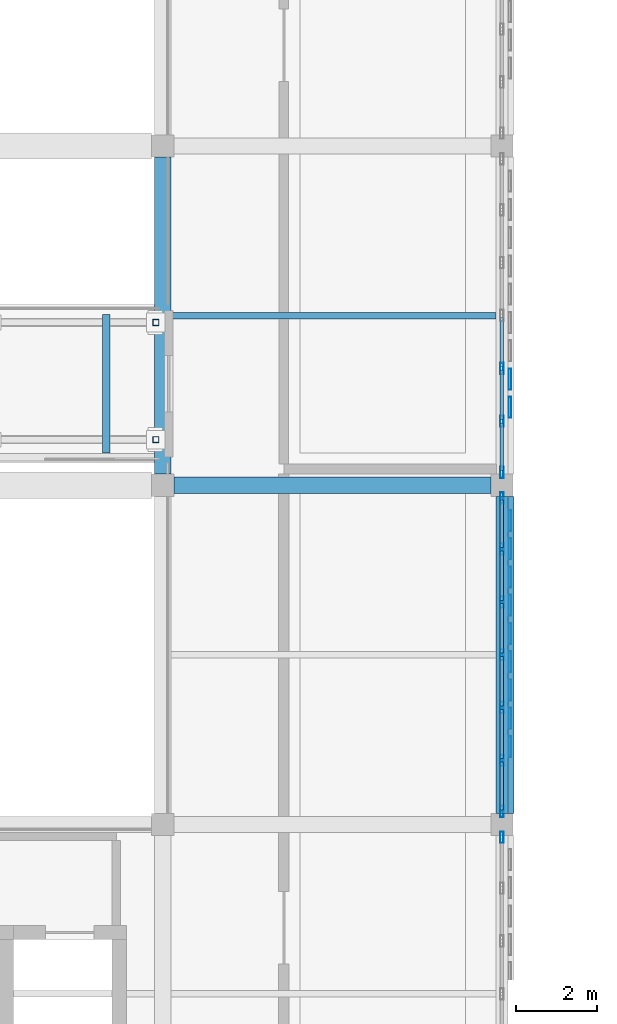
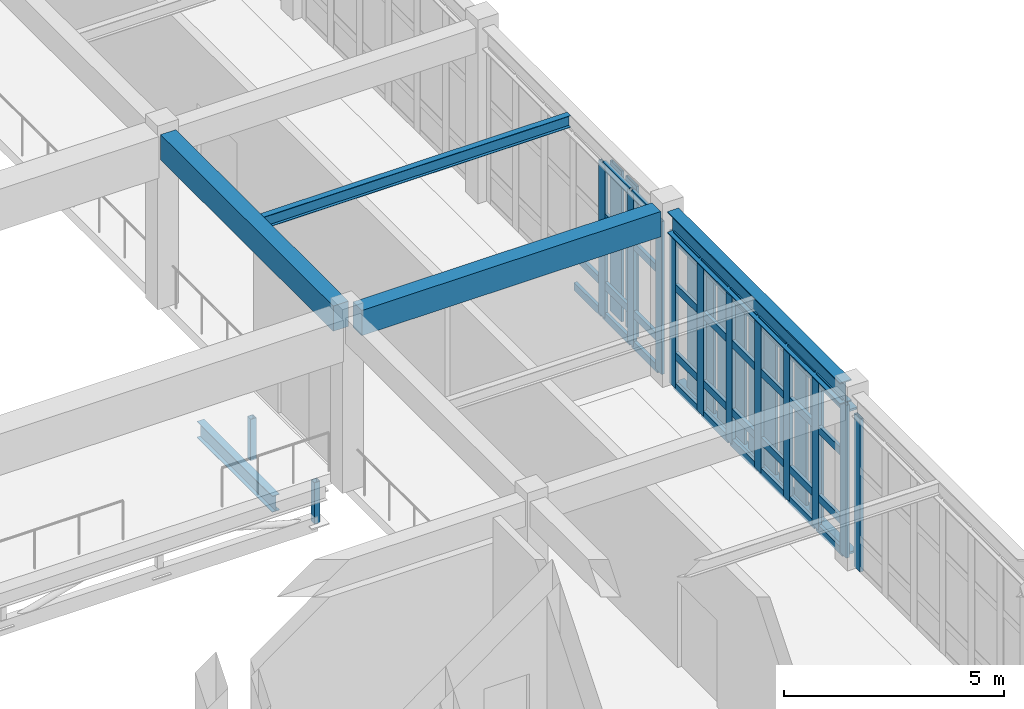
# One storey, part 19 of 77: 60 members, 5 beams, 3 elements without a shape of their own.
"""IFC4 building model written with IfcOpenShell, lengths in metres."""

from ifc_helpers import new_model, si_unit, direction, frame, origin, origin_2d, place, context, subcontext, project, spatial, rectangle, hollow_rectangle, i_section, extrude, material, layer, layer_set, material_profile, profile_set, type_object, element, aggregate, save


model = new_model("IFC4")

# Units and contexts
model_context = context("Model", 3, precision=1e-05, world=origin(), true_north=direction((0.0, 1.0)))
body_context = subcontext(model_context, "Body", "Model", "MODEL_VIEW")
ifc_project = project(units=[si_unit("LENGTHUNIT", "METRE"), si_unit("AREAUNIT", "SQUARE_METRE"), si_unit("VOLUMEUNIT", "CUBIC_METRE"), si_unit("PLANEANGLEUNIT", "RADIAN"), si_unit("MASSUNIT", "GRAM", prefix="KILO")], contexts=[model_context])

# Site, building, storey
site_placement = place(None, origin())
site = spatial("IfcSite", under=ifc_project, at=site_placement, CompositionType="ELEMENT")
building_placement = place(site_placement, origin())
building = spatial("IfcBuilding", under=site, at=building_placement, Name="Krzemoval Escarpment Law Courts", CompositionType="ELEMENT")
storey_placement = place(building_placement, frame((0.0, 0.0, 15.300048828125)))
storey = spatial("IfcBuildingStorey", under=building, at=storey_placement, Name="L03", CompositionType="ELEMENT", Elevation=15.300048828125)

# Beams
ifc_material_1 = material(Name="Concrete C40/50", Category="concrete")
ifc_material_profile_1 = material_profile(ifc_material_1, rectangle(XDim=0.39990234375, YDim=0.699951171875, at=origin_2d()), Name="RCB 400x700")
ifc_profile_set_1 = profile_set([ifc_material_profile_1], Name="Concrete C40/50")
beam_type_1 = type_object("IfcBeamType", Name="BM-RC-400x700", PredefinedType="BEAM", material=ifc_profile_set_1)
for number, where, z_axis, x_axis, name in (
    (1, (33.875, 57.60009765625, 4.489990234375), (1.0, 0.0, 0.0), (0.0, 1.0, 0.0), "Beam FG-L03-2159"),
    (2, (33.60009765625, 57.875, 4.489990234375), (0.0, 1.0, 0.0), (-1.0, 0.0, 0.0), "Beam FG-L03-2253"),
):
    element("IfcBeam", number, at=place(storey_placement, frame(where, z_axis=z_axis, x_axis=x_axis)), inside=storey, type_object=beam_type_1, Name=name, PredefinedType="BEAM", context=body_context, shape_type="SweptSolid", body=[
        extrude(rectangle(XDim=0.39990234375, YDim=0.699951171875, at=origin_2d()), origin(), (0.0, 0.0, 1.0), 7.85009765625),
    ])
ifc_material_2 = material(Name="Steel S355", Category="steel")
ifc_material_profile_2 = material_profile(ifc_material_2, i_section(OverallWidth=0.18994140625, OverallDepth=0.449951171875, WebThickness=0.009521484375, FlangeThickness=0.0146484375, at=origin_2d()), Name="IPE 450")
ifc_profile_set_2 = profile_set([ifc_material_profile_2], Name="Steel S355")
beam_type_2 = type_object("IfcBeamType", Name="BM-S355-IPE450", PredefinedType="BEAM", material=ifc_profile_set_2)
beam_1_placement = place(storey_placement, frame((32.199951171875, 58.39990234375, -0.525146484375), z_axis=(0.0, 1.0, 0.0), x_axis=(-1.0, 0.0, 0.0)))
element("IfcBeam", 3, at=beam_1_placement, inside=storey, type_object=beam_type_2, Name="Bridge Cross Beam BBM-2845", PredefinedType="BEAM", context=body_context, shape_type="SweptSolid", body=[
    extrude(i_section(OverallWidth=0.18994140625, OverallDepth=0.449951171875, WebThickness=0.009521484375, FlangeThickness=0.0146484375, at=origin_2d()), origin(), (0.0, 0.0, 1.0), 3.43017578125),
])

# Curtain wall, members
ifc_material_3 = material(Name="Aluminium 6063-T6", Category="aluminium")
ifc_layer = layer(ifc_material_3, 0.280029296875)
ifc_layer_set = layer_set([ifc_layer], Name="Aluminium 6063-T6")
curtain_wall_type = type_object("IfcCurtainWallType", Name="CW-HALL-5100", PredefinedType="USERDEFINED", material=ifc_layer_set)
curtain_wall_1_placement = place(storey_placement, origin())
curtain_wall_1 = element("IfcCurtainWall", 4, at=curtain_wall_1_placement, inside=storey, type_object=curtain_wall_type, Name="Unitised Curtain Wall FCW-L03-109", ObjectType="UNITISED_CURTAIN_WALL", PredefinedType="USERDEFINED")
ifc_material_4 = material(Name="Aluminium 6063-T6", Category="aluminium")
ifc_material_profile_3 = material_profile(ifc_material_4, hollow_rectangle(XDim=0.0849609375, YDim=0.280029296875, WallThickness=0.005615234375, at=origin_2d()), Name="ALU M85x280")
ifc_profile_set_3 = profile_set([ifc_material_profile_3], Name="Aluminium 6063-T6")
member_type_1 = type_object("IfcMemberType", Name="CWM-85x280", PredefinedType="MULLION", material=ifc_profile_set_3)
member_1_placement = place(storey_placement, frame((42.0, 60.49169921875, 0.0), z_axis=(0.0, 0.0, 1.0), x_axis=(1.0, 0.0, 0.0)))
member_1 = element("IfcMember", 5, at=member_1_placement, type_object=member_type_1, Name="FCW-L03-109 mullion 5", PredefinedType="MULLION", context=body_context, shape_type="SweptSolid", body=[
    extrude(hollow_rectangle(XDim=0.0849609375, YDim=0.280029296875, WallThickness=0.005615234375, at=origin_2d()), origin(), (0.0, 0.0, 1.0), 4.239990234375),
])
member_2_placement = place(storey_placement, frame((42.0, 59.183349609375, 0.0), z_axis=(0.0, 0.0, 1.0), x_axis=(1.0, 0.0, 0.0)))
member_2 = element("IfcMember", 6, at=member_2_placement, type_object=member_type_1, Name="FCW-L03-109 mullion 6", PredefinedType="MULLION", context=body_context, shape_type="SweptSolid", body=[
    extrude(hollow_rectangle(XDim=0.0849609375, YDim=0.280029296875, WallThickness=0.005615234375, at=origin_2d()), origin(), (0.0, 0.0, 1.0), 4.239990234375),
])
member_3_placement = place(storey_placement, frame((42.0, 57.91748046875, 0.0), z_axis=(0.0, 0.0, 1.0), x_axis=(1.0, 0.0, 0.0)))
member_3 = element("IfcMember", 7, at=member_3_placement, type_object=member_type_1, Name="FCW-L03-109 mullion 7", PredefinedType="MULLION", context=body_context, shape_type="SweptSolid", body=[
    extrude(hollow_rectangle(XDim=0.0849609375, YDim=0.280029296875, WallThickness=0.005615234375, at=origin_2d()), origin(), (0.0, 0.0, 1.0), 4.239990234375),
])

curtain_wall_2_placement = place(storey_placement, origin())
curtain_wall_2 = element("IfcCurtainWall", 8, at=curtain_wall_2_placement, inside=storey, type_object=curtain_wall_type, Name="Unitised Curtain Wall FCW-L03-110", ObjectType="UNITISED_CURTAIN_WALL", PredefinedType="USERDEFINED")
member_4_placement = place(storey_placement, frame((42.0, 57.282470703125, 0.0), z_axis=(0.0, 0.0, 1.0), x_axis=(1.0, 0.0, 0.0)))
member_4 = element("IfcMember", 9, at=member_4_placement, type_object=member_type_1, Name="FCW-L03-110 mullion 1", PredefinedType="MULLION", context=body_context, shape_type="SweptSolid", body=[
    extrude(hollow_rectangle(XDim=0.0849609375, YDim=0.280029296875, WallThickness=0.005615234375, at=origin_2d()), origin(), (0.0, 0.0, 1.0), 4.239990234375),
])
member_5_placement = place(storey_placement, frame((42.0, 56.0166015625, 0.0), z_axis=(0.0, 0.0, 1.0), x_axis=(1.0, 0.0, 0.0)))
member_5 = element("IfcMember", 10, at=member_5_placement, type_object=member_type_1, Name="FCW-L03-110 mullion 2", PredefinedType="MULLION", context=body_context, shape_type="SweptSolid", body=[
    extrude(hollow_rectangle(XDim=0.0849609375, YDim=0.280029296875, WallThickness=0.005615234375, at=origin_2d()), origin(), (0.0, 0.0, 1.0), 4.239990234375),
])
member_6_placement = place(storey_placement, frame((42.0, 54.708251953125, 0.0), z_axis=(0.0, 0.0, 1.0), x_axis=(1.0, 0.0, 0.0)))
member_6 = element("IfcMember", 11, at=member_6_placement, type_object=member_type_1, Name="FCW-L03-110 mullion 3", PredefinedType="MULLION", context=body_context, shape_type="SweptSolid", body=[
    extrude(hollow_rectangle(XDim=0.0849609375, YDim=0.280029296875, WallThickness=0.005615234375, at=origin_2d()), origin(), (0.0, 0.0, 1.0), 4.239990234375),
])
member_7_placement = place(storey_placement, frame((42.0, 53.39990234375, 0.0), z_axis=(0.0, 0.0, 1.0), x_axis=(1.0, 0.0, 0.0)))
member_7 = element("IfcMember", 12, at=member_7_placement, type_object=member_type_1, Name="FCW-L03-110 mullion 4", PredefinedType="MULLION", context=body_context, shape_type="SweptSolid", body=[
    extrude(hollow_rectangle(XDim=0.0849609375, YDim=0.280029296875, WallThickness=0.005615234375, at=origin_2d()), origin(), (0.0, 0.0, 1.0), 4.239990234375),
])
member_8_placement = place(storey_placement, frame((42.0, 52.091552734375, 0.0), z_axis=(0.0, 0.0, 1.0), x_axis=(1.0, 0.0, 0.0)))
member_8 = element("IfcMember", 13, at=member_8_placement, type_object=member_type_1, Name="FCW-L03-110 mullion 5", PredefinedType="MULLION", context=body_context, shape_type="SweptSolid", body=[
    extrude(hollow_rectangle(XDim=0.0849609375, YDim=0.280029296875, WallThickness=0.005615234375, at=origin_2d()), origin(), (0.0, 0.0, 1.0), 4.239990234375),
])
member_9_placement = place(storey_placement, frame((42.0, 50.783447265625, 0.0), z_axis=(0.0, 0.0, 1.0), x_axis=(1.0, 0.0, 0.0)))
member_9 = element("IfcMember", 14, at=member_9_placement, type_object=member_type_1, Name="FCW-L03-110 mullion 6", PredefinedType="MULLION", context=body_context, shape_type="SweptSolid", body=[
    extrude(hollow_rectangle(XDim=0.0849609375, YDim=0.280029296875, WallThickness=0.005615234375, at=origin_2d()), origin(), (0.0, 0.0, 1.0), 4.239990234375),
])
member_10_placement = place(storey_placement, frame((42.0, 49.517578125, 0.0), z_axis=(0.0, 0.0, 1.0), x_axis=(1.0, 0.0, 0.0)))
member_10 = element("IfcMember", 15, at=member_10_placement, type_object=member_type_1, Name="FCW-L03-110 mullion 7", PredefinedType="MULLION", context=body_context, shape_type="SweptSolid", body=[
    extrude(hollow_rectangle(XDim=0.0849609375, YDim=0.280029296875, WallThickness=0.005615234375, at=origin_2d()), origin(), (0.0, 0.0, 1.0), 4.239990234375),
])

# Curtain wall, member
curtain_wall_3_placement = place(storey_placement, origin())
curtain_wall_3 = element("IfcCurtainWall", 16, at=curtain_wall_3_placement, inside=storey, type_object=curtain_wall_type, Name="Unitised Curtain Wall FCW-L03-111", ObjectType="UNITISED_CURTAIN_WALL", PredefinedType="USERDEFINED")
member_11_placement = place(storey_placement, frame((42.0, 48.882568359375, 0.0), z_axis=(0.0, 0.0, 1.0), x_axis=(1.0, 0.0, 0.0)))
member_11 = element("IfcMember", 17, at=member_11_placement, type_object=member_type_1, Name="FCW-L03-111 mullion 1", PredefinedType="MULLION", context=body_context, shape_type="SweptSolid", body=[
    extrude(hollow_rectangle(XDim=0.0849609375, YDim=0.280029296875, WallThickness=0.005615234375, at=origin_2d()), origin(), (0.0, 0.0, 1.0), 4.239990234375),
])
aggregate(curtain_wall_3, [member_11])

# Member
ifc_material_5 = material(Name="Aluminium 6063-T6", Category="aluminium")
ifc_material_profile_4 = material_profile(ifc_material_5, hollow_rectangle(XDim=0.0849609375, YDim=0.2099609375, WallThickness=0.005615234375, at=origin_2d()), Name="ALU T85x210")
ifc_profile_set_4 = profile_set([ifc_material_profile_4], Name="Aluminium 6063-T6")
member_type_2 = type_object("IfcMemberType", Name="CWT-85x210", PredefinedType="USERDEFINED", material=ifc_profile_set_4)
member_12_placement = place(storey_placement, frame((42.0, 61.757568359375, 0.04248046875), z_axis=(0.0, -1.0, 0.0), x_axis=(1.0, 0.0, 0.0)))
member_12 = element("IfcMember", 18, at=member_12_placement, type_object=member_type_2, Name="FCW-L03-109 transom 4.1", ObjectType="TRANSOM", PredefinedType="USERDEFINED", context=body_context, shape_type="SweptSolid", body=[
    extrude(hollow_rectangle(XDim=0.0849609375, YDim=0.2099609375, WallThickness=0.005615234375, at=origin_2d()), origin(), (0.0, 0.0, 1.0), 1.223388671875),
])

member_13_placement = place(storey_placement, frame((42.0, 61.757568359375, 0.89990234375), z_axis=(0.0, -1.0, 0.0), x_axis=(1.0, 0.0, 0.0)))
member_13 = element("IfcMember", 19, at=member_13_placement, type_object=member_type_2, Name="FCW-L03-109 transom 4.2", ObjectType="TRANSOM", PredefinedType="USERDEFINED", context=body_context, shape_type="SweptSolid", body=[
    extrude(hollow_rectangle(XDim=0.0849609375, YDim=0.2099609375, WallThickness=0.005615234375, at=origin_2d()), origin(), (0.0, 0.0, 1.0), 1.223388671875),
])

member_14_placement = place(storey_placement, frame((42.0, 60.44921875, 0.04248046875), z_axis=(0.0, -1.0, 0.0), x_axis=(1.0, 0.0, 0.0)))
member_14 = element("IfcMember", 20, at=member_14_placement, type_object=member_type_2, Name="FCW-L03-109 transom 5.1", ObjectType="TRANSOM", PredefinedType="USERDEFINED", context=body_context, shape_type="SweptSolid", body=[
    extrude(hollow_rectangle(XDim=0.0849609375, YDim=0.2099609375, WallThickness=0.005615234375, at=origin_2d()), origin(), (0.0, 0.0, 1.0), 1.223388671875),
])

member_15_placement = place(storey_placement, frame((42.0, 60.44921875, 0.89990234375), z_axis=(0.0, -1.0, 0.0), x_axis=(1.0, 0.0, 0.0)))
member_15 = element("IfcMember", 21, at=member_15_placement, type_object=member_type_2, Name="FCW-L03-109 transom 5.2", ObjectType="TRANSOM", PredefinedType="USERDEFINED", context=body_context, shape_type="SweptSolid", body=[
    extrude(hollow_rectangle(XDim=0.0849609375, YDim=0.2099609375, WallThickness=0.005615234375, at=origin_2d()), origin(), (0.0, 0.0, 1.0), 1.223388671875),
])

member_16_placement = place(storey_placement, frame((42.0, 60.44921875, 2.800048828125), z_axis=(0.0, -1.0, 0.0), x_axis=(1.0, 0.0, 0.0)))
member_16 = element("IfcMember", 22, at=member_16_placement, type_object=member_type_2, Name="FCW-L03-109 transom 5.3", ObjectType="TRANSOM", PredefinedType="USERDEFINED", context=body_context, shape_type="SweptSolid", body=[
    extrude(hollow_rectangle(XDim=0.0849609375, YDim=0.2099609375, WallThickness=0.005615234375, at=origin_2d()), origin(), (0.0, 0.0, 1.0), 1.223388671875),
])

member_17_placement = place(storey_placement, frame((42.0, 60.44921875, 4.197509765625), z_axis=(0.0, -1.0, 0.0), x_axis=(1.0, 0.0, 0.0)))
member_17 = element("IfcMember", 23, at=member_17_placement, type_object=member_type_2, Name="FCW-L03-109 transom 5.4", ObjectType="TRANSOM", PredefinedType="USERDEFINED", context=body_context, shape_type="SweptSolid", body=[
    extrude(hollow_rectangle(XDim=0.0849609375, YDim=0.2099609375, WallThickness=0.005615234375, at=origin_2d()), origin(), (0.0, 0.0, 1.0), 1.223388671875),
])

member_18_placement = place(storey_placement, frame((42.0, 59.140869140625, 0.04248046875), z_axis=(0.0, -1.0, 0.0), x_axis=(1.0, 0.0, 0.0)))
member_18 = element("IfcMember", 24, at=member_18_placement, type_object=member_type_2, Name="FCW-L03-109 transom 6.1", ObjectType="TRANSOM", PredefinedType="USERDEFINED", context=body_context, shape_type="SweptSolid", body=[
    extrude(hollow_rectangle(XDim=0.0849609375, YDim=0.2099609375, WallThickness=0.005615234375, at=origin_2d()), origin(), (0.0, 0.0, 1.0), 1.180908203125),
])

member_19_placement = place(storey_placement, frame((42.0, 59.140869140625, 0.89990234375), z_axis=(0.0, -1.0, 0.0), x_axis=(1.0, 0.0, 0.0)))
member_19 = element("IfcMember", 25, at=member_19_placement, type_object=member_type_2, Name="FCW-L03-109 transom 6.2", ObjectType="TRANSOM", PredefinedType="USERDEFINED", context=body_context, shape_type="SweptSolid", body=[
    extrude(hollow_rectangle(XDim=0.0849609375, YDim=0.2099609375, WallThickness=0.005615234375, at=origin_2d()), origin(), (0.0, 0.0, 1.0), 1.180908203125),
])

member_20_placement = place(storey_placement, frame((42.0, 59.140869140625, 2.800048828125), z_axis=(0.0, -1.0, 0.0), x_axis=(1.0, 0.0, 0.0)))
member_20 = element("IfcMember", 26, at=member_20_placement, type_object=member_type_2, Name="FCW-L03-109 transom 6.3", ObjectType="TRANSOM", PredefinedType="USERDEFINED", context=body_context, shape_type="SweptSolid", body=[
    extrude(hollow_rectangle(XDim=0.0849609375, YDim=0.2099609375, WallThickness=0.005615234375, at=origin_2d()), origin(), (0.0, 0.0, 1.0), 1.180908203125),
])

member_21_placement = place(storey_placement, frame((42.0, 59.140869140625, 4.197509765625), z_axis=(0.0, -1.0, 0.0), x_axis=(1.0, 0.0, 0.0)))
member_21 = element("IfcMember", 27, at=member_21_placement, type_object=member_type_2, Name="FCW-L03-109 transom 6.4", ObjectType="TRANSOM", PredefinedType="USERDEFINED", context=body_context, shape_type="SweptSolid", body=[
    extrude(hollow_rectangle(XDim=0.0849609375, YDim=0.2099609375, WallThickness=0.005615234375, at=origin_2d()), origin(), (0.0, 0.0, 1.0), 1.180908203125),
])

aggregate(curtain_wall_1, [member_1, member_2, member_3, member_12, member_13, member_14, member_15, member_16, member_17, member_18, member_19, member_20, member_21])

member_22_placement = place(storey_placement, frame((42.0, 57.239990234375, 0.04248046875), z_axis=(0.0, -1.0, 0.0), x_axis=(1.0, 0.0, 0.0)))
member_22 = element("IfcMember", 28, at=member_22_placement, type_object=member_type_2, Name="FCW-L03-110 transom 1.1", ObjectType="TRANSOM", PredefinedType="USERDEFINED", context=body_context, shape_type="SweptSolid", body=[
    extrude(hollow_rectangle(XDim=0.0849609375, YDim=0.2099609375, WallThickness=0.005615234375, at=origin_2d()), origin(), (0.0, 0.0, 1.0), 1.180908203125),
])

member_23_placement = place(storey_placement, frame((42.0, 57.239990234375, 0.89990234375), z_axis=(0.0, -1.0, 0.0), x_axis=(1.0, 0.0, 0.0)))
member_23 = element("IfcMember", 29, at=member_23_placement, type_object=member_type_2, Name="FCW-L03-110 transom 1.2", ObjectType="TRANSOM", PredefinedType="USERDEFINED", context=body_context, shape_type="SweptSolid", body=[
    extrude(hollow_rectangle(XDim=0.0849609375, YDim=0.2099609375, WallThickness=0.005615234375, at=origin_2d()), origin(), (0.0, 0.0, 1.0), 1.180908203125),
])

member_24_placement = place(storey_placement, frame((42.0, 57.239990234375, 2.800048828125), z_axis=(0.0, -1.0, 0.0), x_axis=(1.0, 0.0, 0.0)))
member_24 = element("IfcMember", 30, at=member_24_placement, type_object=member_type_2, Name="FCW-L03-110 transom 1.3", ObjectType="TRANSOM", PredefinedType="USERDEFINED", context=body_context, shape_type="SweptSolid", body=[
    extrude(hollow_rectangle(XDim=0.0849609375, YDim=0.2099609375, WallThickness=0.005615234375, at=origin_2d()), origin(), (0.0, 0.0, 1.0), 1.180908203125),
])

member_25_placement = place(storey_placement, frame((42.0, 57.239990234375, 4.197509765625), z_axis=(0.0, -1.0, 0.0), x_axis=(1.0, 0.0, 0.0)))
member_25 = element("IfcMember", 31, at=member_25_placement, type_object=member_type_2, Name="FCW-L03-110 transom 1.4", ObjectType="TRANSOM", PredefinedType="USERDEFINED", context=body_context, shape_type="SweptSolid", body=[
    extrude(hollow_rectangle(XDim=0.0849609375, YDim=0.2099609375, WallThickness=0.005615234375, at=origin_2d()), origin(), (0.0, 0.0, 1.0), 1.180908203125),
])

member_26_placement = place(storey_placement, frame((42.0, 55.97412109375, 0.04248046875), z_axis=(0.0, -1.0, 0.0), x_axis=(1.0, 0.0, 0.0)))
member_26 = element("IfcMember", 32, at=member_26_placement, type_object=member_type_2, Name="FCW-L03-110 transom 2.1", ObjectType="TRANSOM", PredefinedType="USERDEFINED", context=body_context, shape_type="SweptSolid", body=[
    extrude(hollow_rectangle(XDim=0.0849609375, YDim=0.2099609375, WallThickness=0.005615234375, at=origin_2d()), origin(), (0.0, 0.0, 1.0), 1.223388671875),
])

member_27_placement = place(storey_placement, frame((42.0, 55.97412109375, 0.89990234375), z_axis=(0.0, -1.0, 0.0), x_axis=(1.0, 0.0, 0.0)))
member_27 = element("IfcMember", 33, at=member_27_placement, type_object=member_type_2, Name="FCW-L03-110 transom 2.2", ObjectType="TRANSOM", PredefinedType="USERDEFINED", context=body_context, shape_type="SweptSolid", body=[
    extrude(hollow_rectangle(XDim=0.0849609375, YDim=0.2099609375, WallThickness=0.005615234375, at=origin_2d()), origin(), (0.0, 0.0, 1.0), 1.223388671875),
])

member_28_placement = place(storey_placement, frame((42.0, 55.97412109375, 2.800048828125), z_axis=(0.0, -1.0, 0.0), x_axis=(1.0, 0.0, 0.0)))
member_28 = element("IfcMember", 34, at=member_28_placement, type_object=member_type_2, Name="FCW-L03-110 transom 2.3", ObjectType="TRANSOM", PredefinedType="USERDEFINED", context=body_context, shape_type="SweptSolid", body=[
    extrude(hollow_rectangle(XDim=0.0849609375, YDim=0.2099609375, WallThickness=0.005615234375, at=origin_2d()), origin(), (0.0, 0.0, 1.0), 1.223388671875),
])

member_29_placement = place(storey_placement, frame((42.0, 55.97412109375, 4.197509765625), z_axis=(0.0, -1.0, 0.0), x_axis=(1.0, 0.0, 0.0)))
member_29 = element("IfcMember", 35, at=member_29_placement, type_object=member_type_2, Name="FCW-L03-110 transom 2.4", ObjectType="TRANSOM", PredefinedType="USERDEFINED", context=body_context, shape_type="SweptSolid", body=[
    extrude(hollow_rectangle(XDim=0.0849609375, YDim=0.2099609375, WallThickness=0.005615234375, at=origin_2d()), origin(), (0.0, 0.0, 1.0), 1.223388671875),
])

member_30_placement = place(storey_placement, frame((42.0, 54.665771484375, 0.04248046875), z_axis=(0.0, -1.0, 0.0), x_axis=(1.0, 0.0, 0.0)))
member_30 = element("IfcMember", 36, at=member_30_placement, type_object=member_type_2, Name="FCW-L03-110 transom 3.1", ObjectType="TRANSOM", PredefinedType="USERDEFINED", context=body_context, shape_type="SweptSolid", body=[
    extrude(hollow_rectangle(XDim=0.0849609375, YDim=0.2099609375, WallThickness=0.005615234375, at=origin_2d()), origin(), (0.0, 0.0, 1.0), 1.223388671875),
])

member_31_placement = place(storey_placement, frame((42.0, 54.665771484375, 0.89990234375), z_axis=(0.0, -1.0, 0.0), x_axis=(1.0, 0.0, 0.0)))
member_31 = element("IfcMember", 37, at=member_31_placement, type_object=member_type_2, Name="FCW-L03-110 transom 3.2", ObjectType="TRANSOM", PredefinedType="USERDEFINED", context=body_context, shape_type="SweptSolid", body=[
    extrude(hollow_rectangle(XDim=0.0849609375, YDim=0.2099609375, WallThickness=0.005615234375, at=origin_2d()), origin(), (0.0, 0.0, 1.0), 1.223388671875),
])

member_32_placement = place(storey_placement, frame((42.0, 54.665771484375, 2.800048828125), z_axis=(0.0, -1.0, 0.0), x_axis=(1.0, 0.0, 0.0)))
member_32 = element("IfcMember", 38, at=member_32_placement, type_object=member_type_2, Name="FCW-L03-110 transom 3.3", ObjectType="TRANSOM", PredefinedType="USERDEFINED", context=body_context, shape_type="SweptSolid", body=[
    extrude(hollow_rectangle(XDim=0.0849609375, YDim=0.2099609375, WallThickness=0.005615234375, at=origin_2d()), origin(), (0.0, 0.0, 1.0), 1.223388671875),
])

member_33_placement = place(storey_placement, frame((42.0, 54.665771484375, 4.197509765625), z_axis=(0.0, -1.0, 0.0), x_axis=(1.0, 0.0, 0.0)))
member_33 = element("IfcMember", 39, at=member_33_placement, type_object=member_type_2, Name="FCW-L03-110 transom 3.4", ObjectType="TRANSOM", PredefinedType="USERDEFINED", context=body_context, shape_type="SweptSolid", body=[
    extrude(hollow_rectangle(XDim=0.0849609375, YDim=0.2099609375, WallThickness=0.005615234375, at=origin_2d()), origin(), (0.0, 0.0, 1.0), 1.223388671875),
])

member_34_placement = place(storey_placement, frame((42.0, 53.357421875, 0.04248046875), z_axis=(0.0, -1.0, 0.0), x_axis=(1.0, 0.0, 0.0)))
member_34 = element("IfcMember", 40, at=member_34_placement, type_object=member_type_2, Name="FCW-L03-110 transom 4.1", ObjectType="TRANSOM", PredefinedType="USERDEFINED", context=body_context, shape_type="SweptSolid", body=[
    extrude(hollow_rectangle(XDim=0.0849609375, YDim=0.2099609375, WallThickness=0.005615234375, at=origin_2d()), origin(), (0.0, 0.0, 1.0), 1.22314453125),
])

member_35_placement = place(storey_placement, frame((42.0, 53.357421875, 0.89990234375), z_axis=(0.0, -1.0, 0.0), x_axis=(1.0, 0.0, 0.0)))
member_35 = element("IfcMember", 41, at=member_35_placement, type_object=member_type_2, Name="FCW-L03-110 transom 4.2", ObjectType="TRANSOM", PredefinedType="USERDEFINED", context=body_context, shape_type="SweptSolid", body=[
    extrude(hollow_rectangle(XDim=0.0849609375, YDim=0.2099609375, WallThickness=0.005615234375, at=origin_2d()), origin(), (0.0, 0.0, 1.0), 1.22314453125),
])

member_36_placement = place(storey_placement, frame((42.0, 53.357421875, 2.800048828125), z_axis=(0.0, -1.0, 0.0), x_axis=(1.0, 0.0, 0.0)))
member_36 = element("IfcMember", 42, at=member_36_placement, type_object=member_type_2, Name="FCW-L03-110 transom 4.3", ObjectType="TRANSOM", PredefinedType="USERDEFINED", context=body_context, shape_type="SweptSolid", body=[
    extrude(hollow_rectangle(XDim=0.0849609375, YDim=0.2099609375, WallThickness=0.005615234375, at=origin_2d()), origin(), (0.0, 0.0, 1.0), 1.22314453125),
])

member_37_placement = place(storey_placement, frame((42.0, 53.357421875, 4.197509765625), z_axis=(0.0, -1.0, 0.0), x_axis=(1.0, 0.0, 0.0)))
member_37 = element("IfcMember", 43, at=member_37_placement, type_object=member_type_2, Name="FCW-L03-110 transom 4.4", ObjectType="TRANSOM", PredefinedType="USERDEFINED", context=body_context, shape_type="SweptSolid", body=[
    extrude(hollow_rectangle(XDim=0.0849609375, YDim=0.2099609375, WallThickness=0.005615234375, at=origin_2d()), origin(), (0.0, 0.0, 1.0), 1.22314453125),
])

member_38_placement = place(storey_placement, frame((42.0, 52.049072265625, 0.04248046875), z_axis=(0.0, -1.0, 0.0), x_axis=(1.0, 0.0, 0.0)))
member_38 = element("IfcMember", 44, at=member_38_placement, type_object=member_type_2, Name="FCW-L03-110 transom 5.1", ObjectType="TRANSOM", PredefinedType="USERDEFINED", context=body_context, shape_type="SweptSolid", body=[
    extrude(hollow_rectangle(XDim=0.0849609375, YDim=0.2099609375, WallThickness=0.005615234375, at=origin_2d()), origin(), (0.0, 0.0, 1.0), 1.22314453125),
])

member_39_placement = place(storey_placement, frame((42.0, 52.049072265625, 0.89990234375), z_axis=(0.0, -1.0, 0.0), x_axis=(1.0, 0.0, 0.0)))
member_39 = element("IfcMember", 45, at=member_39_placement, type_object=member_type_2, Name="FCW-L03-110 transom 5.2", ObjectType="TRANSOM", PredefinedType="USERDEFINED", context=body_context, shape_type="SweptSolid", body=[
    extrude(hollow_rectangle(XDim=0.0849609375, YDim=0.2099609375, WallThickness=0.005615234375, at=origin_2d()), origin(), (0.0, 0.0, 1.0), 1.22314453125),
])

member_40_placement = place(storey_placement, frame((42.0, 52.049072265625, 2.800048828125), z_axis=(0.0, -1.0, 0.0), x_axis=(1.0, 0.0, 0.0)))
member_40 = element("IfcMember", 46, at=member_40_placement, type_object=member_type_2, Name="FCW-L03-110 transom 5.3", ObjectType="TRANSOM", PredefinedType="USERDEFINED", context=body_context, shape_type="SweptSolid", body=[
    extrude(hollow_rectangle(XDim=0.0849609375, YDim=0.2099609375, WallThickness=0.005615234375, at=origin_2d()), origin(), (0.0, 0.0, 1.0), 1.22314453125),
])

member_41_placement = place(storey_placement, frame((42.0, 52.049072265625, 4.197509765625), z_axis=(0.0, -1.0, 0.0), x_axis=(1.0, 0.0, 0.0)))
member_41 = element("IfcMember", 47, at=member_41_placement, type_object=member_type_2, Name="FCW-L03-110 transom 5.4", ObjectType="TRANSOM", PredefinedType="USERDEFINED", context=body_context, shape_type="SweptSolid", body=[
    extrude(hollow_rectangle(XDim=0.0849609375, YDim=0.2099609375, WallThickness=0.005615234375, at=origin_2d()), origin(), (0.0, 0.0, 1.0), 1.22314453125),
])

member_42_placement = place(storey_placement, frame((42.0, 50.74072265625, 0.04248046875), z_axis=(0.0, -1.0, 0.0), x_axis=(1.0, 0.0, 0.0)))
member_42 = element("IfcMember", 48, at=member_42_placement, type_object=member_type_2, Name="FCW-L03-110 transom 6.1", ObjectType="TRANSOM", PredefinedType="USERDEFINED", context=body_context, shape_type="SweptSolid", body=[
    extrude(hollow_rectangle(XDim=0.0849609375, YDim=0.2099609375, WallThickness=0.005615234375, at=origin_2d()), origin(), (0.0, 0.0, 1.0), 1.1806640625),
])

member_43_placement = place(storey_placement, frame((42.0, 50.74072265625, 0.89990234375), z_axis=(0.0, -1.0, 0.0), x_axis=(1.0, 0.0, 0.0)))
member_43 = element("IfcMember", 49, at=member_43_placement, type_object=member_type_2, Name="FCW-L03-110 transom 6.2", ObjectType="TRANSOM", PredefinedType="USERDEFINED", context=body_context, shape_type="SweptSolid", body=[
    extrude(hollow_rectangle(XDim=0.0849609375, YDim=0.2099609375, WallThickness=0.005615234375, at=origin_2d()), origin(), (0.0, 0.0, 1.0), 1.1806640625),
])

member_44_placement = place(storey_placement, frame((42.0, 50.74072265625, 2.800048828125), z_axis=(0.0, -1.0, 0.0), x_axis=(1.0, 0.0, 0.0)))
member_44 = element("IfcMember", 50, at=member_44_placement, type_object=member_type_2, Name="FCW-L03-110 transom 6.3", ObjectType="TRANSOM", PredefinedType="USERDEFINED", context=body_context, shape_type="SweptSolid", body=[
    extrude(hollow_rectangle(XDim=0.0849609375, YDim=0.2099609375, WallThickness=0.005615234375, at=origin_2d()), origin(), (0.0, 0.0, 1.0), 1.1806640625),
])

member_45_placement = place(storey_placement, frame((42.0, 50.74072265625, 4.197509765625), z_axis=(0.0, -1.0, 0.0), x_axis=(1.0, 0.0, 0.0)))
member_45 = element("IfcMember", 51, at=member_45_placement, type_object=member_type_2, Name="FCW-L03-110 transom 6.4", ObjectType="TRANSOM", PredefinedType="USERDEFINED", context=body_context, shape_type="SweptSolid", body=[
    extrude(hollow_rectangle(XDim=0.0849609375, YDim=0.2099609375, WallThickness=0.005615234375, at=origin_2d()), origin(), (0.0, 0.0, 1.0), 1.1806640625),
])

aggregate(curtain_wall_2, [member_4, member_5, member_6, member_7, member_8, member_9, member_10, member_22, member_23, member_24, member_25, member_26, member_27, member_28, member_29, member_30, member_31, member_32, member_33, member_34, member_35, member_36, member_37, member_38, member_39, member_40, member_41, member_42, member_43, member_44, member_45])

# Beam
ifc_material_6 = material(Name="Steel S355", Category="steel")
ifc_material_profile_5 = material_profile(ifc_material_6, i_section(OverallWidth=0.159912109375, OverallDepth=0.330078125, WebThickness=0.007568359375, FlangeThickness=0.011474609375, at=origin_2d()), Name="IPE 330")
ifc_profile_set_5 = profile_set([ifc_material_profile_5], Name="Steel S355")
beam_type_3 = type_object("IfcBeamType", Name="JST-S355-IPE330", PredefinedType="JOIST", material=ifc_profile_set_5)
beam_2_placement = place(storey_placement, frame((33.800048828125, 61.800048828125, 4.675048828125), z_axis=(1.0, 0.0, 0.0), x_axis=(0.0, 1.0, 0.0)))
element("IfcBeam", 52, at=beam_2_placement, inside=storey, type_object=beam_type_3, Name="Secondary Joist FJ-L03-2375", PredefinedType="JOIST", context=body_context, shape_type="SweptSolid", body=[
    extrude(i_section(OverallWidth=0.159912109375, OverallDepth=0.330078125, WebThickness=0.007568359375, FlangeThickness=0.011474609375, at=origin_2d()), origin(), (0.0, 0.0, 1.0), 8.050048828125),
])

# Members
ifc_material_7 = material(Name="Anodised Aluminium Alloy 6063-T6", Category="aluminium")
ifc_material_profile_6 = material_profile(ifc_material_7, hollow_rectangle(XDim=0.06005859375, YDim=0.320068359375, WallThickness=0.00390625, at=origin_2d()), Name="ALU LVR 60x320")
ifc_profile_set_6 = profile_set([ifc_material_profile_6], Name="Anodised Aluminium Alloy 6063-T6")
member_type_3 = type_object("IfcMemberType", Name="LVR-ALU-320", PredefinedType="USERDEFINED", material=ifc_profile_set_6)
for number, where, z_axis, x_axis, name in (
    (53, (42.139892578125, 57.324951171875, 0.030029296875), (0.0, -1.0, 0.0), (0.0, 0.0, 1.0), "Sunshade Support Rail FSR-L03-0739"),
    (54, (42.139892578125, 57.324951171875, 3.989990234375), (0.0, -1.0, 0.0), (0.0, 0.0, 1.0), "Sunshade Support Rail FSR-L03-0740"),
):
    element("IfcMember", number, at=place(storey_placement, frame(where, z_axis=z_axis, x_axis=x_axis)), inside=storey, type_object=member_type_3, Name=name, ObjectType="SUNSHADE_LOUVRE", PredefinedType="USERDEFINED", context=body_context, shape_type="SweptSolid", body=[
        extrude(hollow_rectangle(XDim=0.06005859375, YDim=0.320068359375, WallThickness=0.00390625, at=origin_2d()), origin(), (0.0, 0.0, 1.0), 7.849853515625),
    ])
ifc_material_8 = material(Name="Anodised Aluminium Alloy 6063-T6", Category="aluminium")
ifc_material_profile_7 = material_profile(ifc_material_8, hollow_rectangle(XDim=0.06494140625, YDim=0.52001953125, WallThickness=0.00439453125, at=origin_2d()), Name="ALU LVR 65x520")
ifc_profile_set_7 = profile_set([ifc_material_profile_7], Name="Anodised Aluminium Alloy 6063-T6")
member_type_4 = type_object("IfcMemberType", Name="LVR-ALU-520", PredefinedType="USERDEFINED", material=ifc_profile_set_7)
for number, where, z_axis, x_axis, name in (
    (55, (42.199951171875, 60.22509765625, 0.06005859375), (0.0, 0.0, 1.0), (1.0, 0.0, 0.0), "Sunshade Louvre Fin FLV-L03-0737"),
    (56, (42.199951171875, 59.52490234375, 0.06005859375), (0.0, 0.0, 1.0), (1.0, 0.0, 0.0), "Sunshade Louvre Fin FLV-L03-0738"),
    (57, (42.199951171875, 56.72509765625, 0.06005859375), (0.0, 0.0, 1.0), (1.0, 0.0, 0.0), "Sunshade Louvre Fin FLV-L03-0741"),
    (58, (42.199951171875, 56.02490234375, 0.06005859375), (0.0, 0.0, 1.0), (1.0, 0.0, 0.0), "Sunshade Louvre Fin FLV-L03-0742"),
    (59, (42.199951171875, 55.324951171875, 0.06005859375), (0.0, 0.0, 1.0), (1.0, 0.0, 0.0), "Sunshade Louvre Fin FLV-L03-0743"),
    (60, (42.199951171875, 54.625, 0.06005859375), (0.0, 0.0, 1.0), (1.0, 0.0, 0.0), "Sunshade Louvre Fin FLV-L03-0744"),
    (61, (42.199951171875, 53.925048828125, 0.06005859375), (0.0, 0.0, 1.0), (1.0, 0.0, 0.0), "Sunshade Louvre Fin FLV-L03-0745"),
    (62, (42.199951171875, 53.22509765625, 0.06005859375), (0.0, 0.0, 1.0), (1.0, 0.0, 0.0), "Sunshade Louvre Fin FLV-L03-0746"),
    (63, (42.199951171875, 52.52490234375, 0.06005859375), (0.0, 0.0, 1.0), (1.0, 0.0, 0.0), "Sunshade Louvre Fin FLV-L03-0747"),
    (64, (42.199951171875, 51.824951171875, 0.06005859375), (0.0, 0.0, 1.0), (1.0, 0.0, 0.0), "Sunshade Louvre Fin FLV-L03-0748"),
    (65, (42.199951171875, 51.125, 0.06005859375), (0.0, 0.0, 1.0), (1.0, 0.0, 0.0), "Sunshade Louvre Fin FLV-L03-0749"),
):
    element("IfcMember", number, at=place(storey_placement, frame(where, z_axis=z_axis, x_axis=x_axis)), inside=storey, type_object=member_type_4, Name=name, ObjectType="SUNSHADE_LOUVRE", PredefinedType="USERDEFINED", context=body_context, shape_type="SweptSolid", body=[
        extrude(hollow_rectangle(XDim=0.06494140625, YDim=0.52001953125, WallThickness=0.00439453125, at=origin_2d()), origin(), (0.0, 0.0, 1.0), 4.179931640625),
    ])
ifc_material_9 = material(Name="Steel S355", Category="steel")
ifc_material_profile_8 = material_profile(ifc_material_9, hollow_rectangle(XDim=0.14990234375, YDim=0.14990234375, WallThickness=0.008056640625, at=origin_2d()), Name="SHS 150x150x8")
ifc_profile_set_8 = profile_set([ifc_material_profile_8], Name="Steel S355")
member_type_5 = type_object("IfcMemberType", Name="MBR-STR-SHS150", PredefinedType="STRUT", material=ifc_profile_set_8)
for number, where, z_axis, x_axis, name in (
    (66, (33.429931640625, 58.72998046875, -1.670166015625), (0.0, 0.0, 1.0), (1.0, 0.0, 0.0), "Bridge Truss Strut BST-0149"),
    (67, (33.429931640625, 61.6298828125, -1.670166015625), (0.0, 0.0, 1.0), (1.0, 0.0, 0.0), "Bridge Truss Strut BST-0160"),
):
    element("IfcMember", number, at=place(storey_placement, frame(where, z_axis=z_axis, x_axis=x_axis)), inside=storey, type_object=member_type_5, Name=name, PredefinedType="STRUT", context=body_context, shape_type="SweptSolid", body=[
        extrude(hollow_rectangle(XDim=0.14990234375, YDim=0.14990234375, WallThickness=0.008056640625, at=origin_2d()), origin(), (0.0, 0.0, 1.0), 1.150146484375),
    ])

# Beam
ifc_material_10 = material(Name="Steel S355", Category="steel")
ifc_material_profile_9 = material_profile(ifc_material_10, i_section(OverallWidth=0.300048828125, OverallDepth=0.60009765625, WebThickness=0.015380859375, FlangeThickness=0.030029296875, at=origin_2d()), Name="HEB 600")
ifc_profile_set_9 = profile_set([ifc_material_profile_9], Name="Steel S355")
beam_type_4 = type_object("IfcBeamType", Name="SPN-S355-HEB600", PredefinedType="SPANDREL", material=ifc_profile_set_9)
beam_3_placement = place(storey_placement, frame((42.0, 49.47509765625, 4.5400390625), z_axis=(0.0, 1.0, 0.0), x_axis=(-1.0, 0.0, 0.0)))
element("IfcBeam", 68, at=beam_3_placement, inside=storey, type_object=beam_type_4, Name="Beam FG-L03-2265", PredefinedType="SPANDREL", context=body_context, shape_type="SweptSolid", body=[
    extrude(i_section(OverallWidth=0.300048828125, OverallDepth=0.60009765625, WebThickness=0.015380859375, FlangeThickness=0.030029296875, at=origin_2d()), origin(), (0.0, 0.0, 1.0), 7.849853515625),
])

save(model, "model.ifc")
